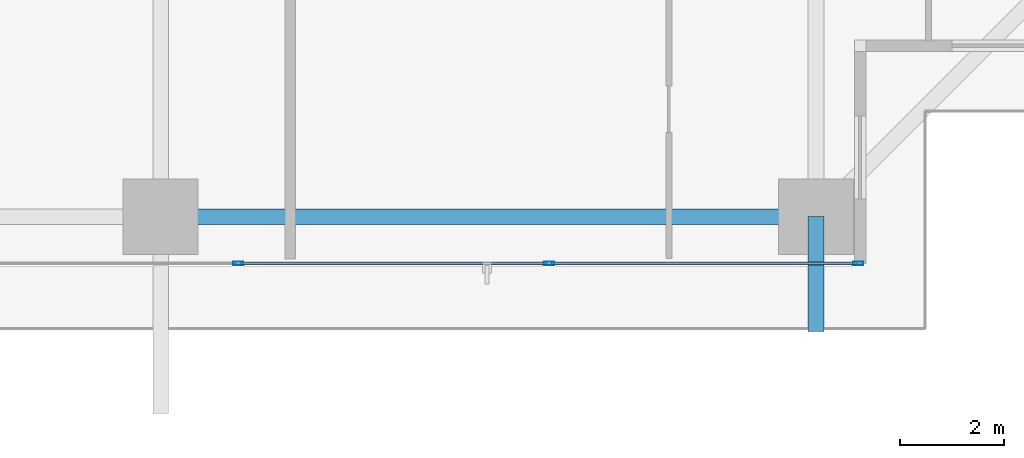
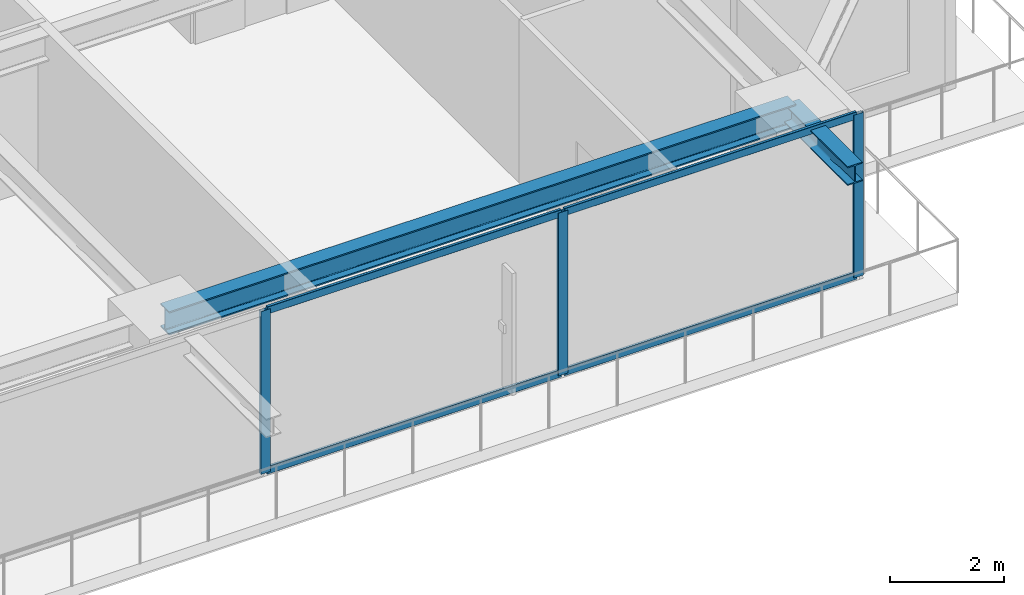
# One storey, part 10 of 36: 7 members, 2 beams, 1 element without a shape of its own.
"""IFC4 building model written with IfcOpenShell, lengths in metres."""

import ifcopenshell
import ifcopenshell.guid

model = None  # the IFC model being written
_history = None  # IfcOwnerHistory: only IFC2X3 demands one
_inside = {}  # id of a spatial element -> (the spatial element, [elements in it])
_under = {}  # id of a project, library or spatial element -> (it, [spatial elements below it])
_declared = {}  # id of a project -> (the project, [libraries it declares])
_typed = {}  # id of a type object -> (the type object, [elements of that type])
_made_of = {}  # id of a material, layer set ... -> (it, [elements and type objects made of it])


def new_model(schema):
    """Start an empty IFC model of exactly this schema.

    Asked for "IFC4X3", IfcOpenShell would pick the latest addendum, in which some entities
    have other attributes; the version numbers below select the first issue.
    IFC2X3 requires an IfcOwnerHistory on every rooted entity: one is made here for all.
    """
    global model, _history
    if schema == "IFC4X3":
        model = ifcopenshell.file(schema_version=(4, 3, 0, 0))
    else:
        model = ifcopenshell.file(schema=schema)
    _inside.clear()
    _under.clear()
    _declared.clear()
    _typed.clear()
    _made_of.clear()
    _history = None
    if model.schema == "IFC2X3":
        org = make("IfcOrganization", Name="unknown")
        user = make(
            "IfcPersonAndOrganization",
            ThePerson=make("IfcPerson", FamilyName="unknown"),
            TheOrganization=org,
        )
        app = make(
            "IfcApplication",
            ApplicationDeveloper=org,
            Version="unknown",
            ApplicationFullName="unknown",
            ApplicationIdentifier="unknown",
        )
        _history = make(
            "IfcOwnerHistory",
            OwningUser=user,
            OwningApplication=app,
            ChangeAction="ADDED",
            CreationDate=0,
        )
    return model


def make(cls, **values):
    """One entity of the class cls with the attributes given. An attribute that is None is left unset."""
    return model.create_entity(
        cls, **{name: value for name, value in values.items() if value is not None}
    )


def rooted(cls, **values):
    """An entity with a GlobalId (a new one), such as an element, a storey or a relation."""
    return make(cls, GlobalId=ifcopenshell.guid.new(), OwnerHistory=_history, **values)


def si_unit(unit_type, name, prefix=None):
    """IfcSIUnit, for example si_unit("LENGTHUNIT", "METRE", prefix="MILLI")."""
    return make("IfcSIUnit", UnitType=unit_type, Prefix=prefix, Name=name)


def assignment(units):
    """IfcUnitAssignment: the units of a project."""
    return None if units is None else make("IfcUnitAssignment", Units=units)


def point(xyz):
    """IfcCartesianPoint."""
    return None if xyz is None else make("IfcCartesianPoint", Coordinates=xyz)


def direction(xyz):
    """IfcDirection."""
    return None if xyz is None else make("IfcDirection", DirectionRatios=xyz)


def frame(location, z_axis=None, x_axis=None):
    """IfcAxis2Placement3D, a coordinate frame: its origin and axes. An axis left out is left unset."""
    return make(
        "IfcAxis2Placement3D",
        Location=point(location),
        Axis=direction(z_axis),
        RefDirection=direction(x_axis),
    )


def frame_2d(location, x_axis=None):
    """IfcAxis2Placement2D, a coordinate frame in the plane: its origin and x axis."""
    return make(
        "IfcAxis2Placement2D", Location=point(location), RefDirection=direction(x_axis)
    )


def origin():
    """The frame at (0, 0, 0) with its axes left unset."""
    return frame((0.0, 0.0, 0.0))


def origin_2d():
    """The frame at (0, 0) in the plane with its x axis left unset."""
    return frame_2d((0.0, 0.0))


def place(relative_to, where):
    """IfcLocalPlacement: puts the frame where relative to a parent placement (None: the world)."""
    return make(
        "IfcLocalPlacement", PlacementRelTo=relative_to, RelativePlacement=where
    )


def context(
    kind, dimensions, precision=None, world=None, true_north=None, identifier=None
):
    """IfcGeometricRepresentationContext, for example the 3D "Model" context."""
    return make(
        "IfcGeometricRepresentationContext",
        ContextIdentifier=identifier,
        ContextType=kind,
        CoordinateSpaceDimension=dimensions,
        Precision=precision,
        WorldCoordinateSystem=world,
        TrueNorth=true_north,
    )


def subcontext(parent, identifier, kind, view, scale=None):
    """IfcGeometricRepresentationSubContext, for example "Body" below "Model"."""
    return make(
        "IfcGeometricRepresentationSubContext",
        ContextIdentifier=identifier,
        ContextType=kind,
        ParentContext=parent,
        TargetScale=scale,
        TargetView=view,
    )


def project(units=None, contexts=None):
    """IfcProject with its units and contexts."""
    return rooted(
        "IfcProject",
        Name="project",
        RepresentationContexts=contexts,
        UnitsInContext=assignment(units),
    )


def spatial(cls, under=None, at=None, **own):
    """A site, building, storey or space (cls), placed at a placement, below another one or the project."""
    s = rooted(cls, ObjectPlacement=at, **own)
    if under is not None:
        _under.setdefault(under.id(), (under, []))[1].append(s)
    return s


def profile(cls, at=None, kind="AREA", **sizes):
    """A parametric profile (cls). Its sizes go by their IFC names, for example OverallWidth=200.0."""
    return make(cls, ProfileType=kind, Position=at, **sizes)


def hollow_rectangle(**sizes):
    """IfcRectangleHollowProfileDef."""
    return profile("IfcRectangleHollowProfileDef", **sizes)


def i_section(**sizes):
    """IfcIShapeProfileDef."""
    return profile("IfcIShapeProfileDef", **sizes)


def extrude(swept, where, along, depth):
    """IfcExtrudedAreaSolid: the profile swept, set in the frame where, extruded along a direction by depth."""
    return make(
        "IfcExtrudedAreaSolid",
        SweptArea=swept,
        Position=where,
        ExtrudedDirection=direction(along),
        Depth=depth,
    )


def shape(context_of_items, identifier, shape_type, items):
    """IfcShapeRepresentation: the items that make up one representation, for example the "Body"."""
    return make(
        "IfcShapeRepresentation",
        ContextOfItems=context_of_items,
        RepresentationIdentifier=identifier,
        RepresentationType=shape_type,
        Items=items,
    )


def source(mapping_origin, context_of_items, identifier, shape_type, items):
    """IfcRepresentationMap: a shape defined once, which mapped items show again and again."""
    return make(
        "IfcRepresentationMap",
        MappingOrigin=mapping_origin,
        MappedRepresentation=shape(context_of_items, identifier, shape_type, items),
    )


def transform(
    local_origin,
    x_axis=None,
    y_axis=None,
    z_axis=None,
    scale=None,
    scale2=None,
    scale3=None,
    uniform=True,
):
    """IfcCartesianTransformationOperator3D, or its non-uniform kind. x_axis, y_axis, z_axis: its Axis1, 2, 3."""
    if uniform:
        return make(
            "IfcCartesianTransformationOperator3D",
            Axis1=direction(x_axis),
            Axis2=direction(y_axis),
            LocalOrigin=point(local_origin),
            Scale=scale,
            Axis3=direction(z_axis),
        )
    return make(
        "IfcCartesianTransformationOperator3DnonUniform",
        Axis1=direction(x_axis),
        Axis2=direction(y_axis),
        LocalOrigin=point(local_origin),
        Scale=scale,
        Axis3=direction(z_axis),
        Scale2=scale2,
        Scale3=scale3,
    )


def mapped(mapping_source, mapping_target):
    """IfcMappedItem: shows the shape of a source again, moved by a transform."""
    return make(
        "IfcMappedItem", MappingSource=mapping_source, MappingTarget=mapping_target
    )


def material(Name=None, Category=None):
    """IfcMaterial."""
    return make("IfcMaterial", Name=Name, Category=Category)


def layer(
    of_material, thickness, ventilated=None, Name=None, Category=None, Priority=None
):
    """IfcMaterialLayer: one layer of a wall or slab, of a material (None: an air gap)."""
    return make(
        "IfcMaterialLayer",
        Material=of_material,
        LayerThickness=thickness,
        IsVentilated=ventilated,
        Name=Name,
        Category=Category,
        Priority=Priority,
    )


def layer_set(layers, Name=None):
    """IfcMaterialLayerSet."""
    return make("IfcMaterialLayerSet", MaterialLayers=layers, LayerSetName=Name)


def material_profile(
    of_material, cross_section, Name=None, Category=None, Priority=None
):
    """IfcMaterialProfile: a cross section and its material."""
    return make(
        "IfcMaterialProfile",
        Name=Name,
        Material=of_material,
        Profile=cross_section,
        Priority=Priority,
        Category=Category,
    )


def profile_set(profiles, Name=None, composite=None):
    """IfcMaterialProfileSet."""
    return make(
        "IfcMaterialProfileSet",
        Name=Name,
        MaterialProfiles=profiles,
        CompositeProfile=composite,
    )


def made_of(thing, what):
    """Note that an element or type object is made of a material, layer set ...; save() writes the relation."""
    if what is not None:
        _made_of.setdefault(what.id(), (what, []))[1].append(thing)
    return thing


def type_object(cls, material=None, **own):
    """A type object (cls), such as IfcWallType, which elements share."""
    return made_of(rooted(cls, **own), material)


def element(
    cls,
    number,
    at=None,
    inside=None,
    cuts=None,
    type_object=None,
    material=None,
    context=None,
    identifier="Body",
    shape_type=None,
    held_by="IfcProductDefinitionShape",
    body=None,
    shapes=None,
    **own,
):
    """One element of the class cls, such as IfcWall. Its Tag is "e" and its number.

    at: its placement. inside: the storey or other place that contains it. cuts: it is an
    opening in that element (IfcRelVoidsElement). A single representation is given by context,
    identifier, shape_type and body (its items); several are given by shapes. held_by: the class
    of the entity that holds the representations. save() writes the other relations.
    """
    e = rooted(cls, Tag="e%d" % number, ObjectPlacement=at, **own)
    if body is not None:
        shapes = [shape(context, identifier, shape_type, body)]
    if shapes is not None:
        e.Representation = make(held_by, Representations=shapes)
    if inside is not None:
        _inside.setdefault(inside.id(), (inside, []))[1].append(e)
    if cuts is not None:
        rooted(
            "IfcRelVoidsElement", RelatingBuildingElement=cuts, RelatedOpeningElement=e
        )
    if type_object is not None:
        _typed.setdefault(type_object.id(), (type_object, []))[1].append(e)
    return made_of(e, material)


def aggregate(whole, parts):
    """IfcRelAggregates: a whole, such as a stair, and the parts it consists of."""
    return rooted("IfcRelAggregates", RelatingObject=whole, RelatedObjects=parts)


def save(model, path):
    """Write the relations noted so far, then the file.

    IfcRelAggregates (storeys below a building ...), IfcRelContainedInSpatialStructure (elements
    in a storey), IfcRelDefinesByType, IfcRelAssociatesMaterial and IfcRelDeclares: one each for
    every whole, place, type object, material and project.
    """
    for whole, parts in _under.values():
        aggregate(whole, parts)
    for where, things in _inside.values():
        rooted(
            "IfcRelContainedInSpatialStructure",
            RelatedElements=things,
            RelatingStructure=where,
        )
    for kind, things in _typed.values():
        rooted("IfcRelDefinesByType", RelatedObjects=things, RelatingType=kind)
    for what, things in _made_of.values():
        rooted("IfcRelAssociatesMaterial", RelatedObjects=things, RelatingMaterial=what)
    for by, libraries in _declared.values():
        rooted("IfcRelDeclares", RelatingContext=by, RelatedDefinitions=libraries)
    model.write(path)


model = new_model("IFC4")

# Units and contexts
model_context = context("Model", 3, precision=1e-05, world=origin(), true_north=direction((0.0, 1.0)))
body_context = subcontext(model_context, "Body", "Model", "MODEL_VIEW")
ifc_project = project(units=[si_unit("LENGTHUNIT", "METRE"), si_unit("AREAUNIT", "SQUARE_METRE"), si_unit("VOLUMEUNIT", "CUBIC_METRE"), si_unit("PLANEANGLEUNIT", "RADIAN"), si_unit("MASSUNIT", "GRAM", prefix="KILO")], contexts=[model_context])

# Site, building, storey
site_placement = place(None, origin())
site = spatial("IfcSite", under=ifc_project, at=site_placement, CompositionType="ELEMENT")
building_placement = place(site_placement, origin())
building = spatial("IfcBuilding", under=site, at=building_placement, Name="Serunith Strait Residences", CompositionType="ELEMENT")
storey_placement = place(building_placement, frame((0.0, 0.0, 86.699951171875)))
storey = spatial("IfcBuildingStorey", under=building, at=storey_placement, Name="L21", CompositionType="ELEMENT", Elevation=86.699951171875)

# Beams
ifc_material_1 = material(Name="Steel S355J2", Category="steel")
ifc_material_profile_1 = material_profile(ifc_material_1, i_section(OverallWidth=0.300048828125, OverallDepth=0.5, WebThickness=0.014404296875, FlangeThickness=0.028076171875, FilletRadius=0.027099609375, at=origin_2d()), Name="HEB 500")
ifc_profile_set_1 = profile_set([ifc_material_profile_1], Name="Steel S355J2")
beam_type_1 = type_object("IfcBeamType", Name="BM-HEB500", PredefinedType="BEAM", material=ifc_profile_set_1)
shared_shape_1 = source(origin(), body_context, "Body", "SweptSolid", [
    extrude(i_section(OverallWidth=0.300048828125, OverallDepth=0.5, WebThickness=0.014404296875, FlangeThickness=0.028076171875, FilletRadius=0.027099609375, at=origin_2d()), origin(), (0.0, 0.0, 1.0), 12.650146484375),
])
beam_1_placement = place(storey_placement, frame((36.89990234375, 1.10009765625, 3.237060546875), z_axis=(1.0, 0.0, 0.0), x_axis=(0.0, 1.0, 0.0)))
element("IfcBeam", 1, at=beam_1_placement, inside=storey, type_object=beam_type_1, Name="L21 Perimeter Ring Beam 03", PredefinedType="BEAM", context=body_context, shape_type="MappedRepresentation", body=[
    mapped(shared_shape_1, transform((0.0, 0.0, 0.0), scale=1.0)),
])
ifc_material_profile_2 = material_profile(ifc_material_1, i_section(OverallWidth=0.300048828125, OverallDepth=0.39990234375, WebThickness=0.013427734375, FlangeThickness=0.02392578125, FilletRadius=0.027099609375, at=origin_2d()), Name="HEB 400")
ifc_profile_set_2 = profile_set([ifc_material_profile_2], Name="Steel S355J2")
beam_type_2 = type_object("IfcBeamType", Name="BM-HEB400", PredefinedType="BEAM", material=ifc_profile_set_2)
shared_shape_2 = source(origin(), body_context, "Body", "SweptSolid", [
    extrude(i_section(OverallWidth=0.300048828125, OverallDepth=0.39990234375, WebThickness=0.013427734375, FlangeThickness=0.02392578125, FilletRadius=0.027099609375, at=origin_2d()), origin(), (0.0, 0.0, 1.0), 2.219482421875),
])
beam_2_placement = place(storey_placement, frame((49.550048828125, 1.10009765625, 3.257080078125), z_axis=(0.0, -1.0, 0.0), x_axis=(1.0, 0.0, 0.0)))
element("IfcBeam", 2, at=beam_2_placement, inside=storey, type_object=beam_type_2, Name="L22 Cantilevered Balcony Rib TC-S4", PredefinedType="BEAM", context=body_context, shape_type="MappedRepresentation", body=[
    mapped(shared_shape_2, transform((0.0, 0.0, 0.0), scale=1.0)),
])

# Curtain wall, members
ifc_material_2 = material(Name="Pale-Champagne Anodised Aluminium", Category="aluminium")
ifc_layer = layer(ifc_material_2, 0.199951171875, Name="Pale-Champagne Anodised Aluminium")
ifc_layer_set = layer_set([ifc_layer], Name="Pale-Champagne Anodised Aluminium")
curtain_wall_type = type_object("IfcCurtainWallType", Name="CW-SYS1", PredefinedType="NOTDEFINED", material=ifc_layer_set)
curtain_wall_placement = place(storey_placement, origin())
curtain_wall = element("IfcCurtainWall", 3, at=curtain_wall_placement, inside=storey, type_object=curtain_wall_type, Name="L21 S Unitised Fritted Curtain Wall", PredefinedType="NOTDEFINED")
ifc_material_profile_3 = material_profile(ifc_material_2, hollow_rectangle(XDim=0.070068359375, YDim=0.199951171875, WallThickness=0.00390625, InnerFilletRadius=0.006103515625, OuterFilletRadius=0.010009765625, at=origin_2d()), Name="ALU 200x70x4")
ifc_profile_set_3 = profile_set([ifc_material_profile_3], Name="Pale-Champagne Anodised Aluminium")
member_type_1 = type_object("IfcMemberType", Name="CW-SYS1-MULL", PredefinedType="MULLION", material=ifc_profile_set_3)
shared_shape_3 = source(origin(), body_context, "Body", "SweptSolid", [
    extrude(hollow_rectangle(XDim=0.070068359375, YDim=0.199951171875, WallThickness=0.00390625, InnerFilletRadius=0.006103515625, OuterFilletRadius=0.010009765625, at=origin_2d()), origin(), (0.0, 0.0, 1.0), 3.47509765625),
])
member_1_placement = place(storey_placement, frame((38.39990234375, 0.199951171875, 0.0), z_axis=(0.0, 0.0, 1.0), x_axis=(0.0, 1.0, 0.0)))
member_1 = element("IfcMember", 4, at=member_1_placement, type_object=member_type_1, Name="CW-1 mullion 5", PredefinedType="MULLION", context=body_context, shape_type="MappedRepresentation", body=[
    mapped(shared_shape_3, transform((0.0, 0.0, 0.0), scale=1.0)),
])
member_2_placement = place(storey_placement, frame((44.39990234375, 0.199951171875, 0.0), z_axis=(0.0, 0.0, 1.0), x_axis=(0.0, 1.0, 0.0)))
member_2 = element("IfcMember", 5, at=member_2_placement, type_object=member_type_1, Name="CW-1 mullion 6", PredefinedType="MULLION", context=body_context, shape_type="MappedRepresentation", body=[
    mapped(shared_shape_3, transform((0.0, 0.0, 0.0), scale=1.0)),
])
member_3_placement = place(storey_placement, frame((50.364990234375, 0.199951171875, 0.0), z_axis=(0.0, 0.0, 1.0), x_axis=(0.0, 1.0, 0.0)))
member_3 = element("IfcMember", 6, at=member_3_placement, type_object=member_type_1, Name="CW-1 mullion 7", PredefinedType="MULLION", context=body_context, shape_type="MappedRepresentation", body=[
    mapped(shared_shape_3, transform((0.0, 0.0, 0.0), scale=1.0)),
])
ifc_material_profile_4 = material_profile(ifc_material_2, hollow_rectangle(XDim=0.06005859375, YDim=0.159912109375, WallThickness=0.00341796875, InnerFilletRadius=0.00537109375, OuterFilletRadius=0.0087890625, at=origin_2d()), Name="ALU 160x60x3.5")
ifc_profile_set_4 = profile_set([ifc_material_profile_4], Name="Pale-Champagne Anodised Aluminium")
member_type_2 = type_object("IfcMemberType", Name="CW-SYS1-TRAN", PredefinedType="USERDEFINED", material=ifc_profile_set_4)
shared_shape_4 = source(origin(), body_context, "Body", "SweptSolid", [
    extrude(hollow_rectangle(XDim=0.06005859375, YDim=0.159912109375, WallThickness=0.00341796875, InnerFilletRadius=0.00537109375, OuterFilletRadius=0.0087890625, at=origin_2d()), origin(), (0.0, 0.0, 1.0), 5.89501953125),
])
member_4_placement = place(storey_placement, frame((44.43505859375, 0.199951171875, 0.030029296875), z_axis=(1.0, 0.0, 0.0), x_axis=(0.0, 1.0, 0.0)))
member_4 = element("IfcMember", 7, at=member_4_placement, type_object=member_type_2, Name="CW-1 transom 6.1", ObjectType="TRANSOM", PredefinedType="USERDEFINED", context=body_context, shape_type="MappedRepresentation", body=[
    mapped(shared_shape_4, transform((0.0, 0.0, 0.0), scale=1.0)),
])
member_5_placement = place(storey_placement, frame((44.43505859375, 0.199951171875, 3.445068359375), z_axis=(1.0, 0.0, 0.0), x_axis=(0.0, 1.0, 0.0)))
member_5 = element("IfcMember", 8, at=member_5_placement, type_object=member_type_2, Name="CW-1 transom 6.2", ObjectType="TRANSOM", PredefinedType="USERDEFINED", context=body_context, shape_type="MappedRepresentation", body=[
    mapped(shared_shape_4, transform((0.0, 0.0, 0.0), scale=1.0)),
])
shared_shape_5 = source(origin(), body_context, "Body", "SweptSolid", [
    extrude(hollow_rectangle(XDim=0.06005859375, YDim=0.159912109375, WallThickness=0.00341796875, InnerFilletRadius=0.00537109375, OuterFilletRadius=0.0087890625, at=origin_2d()), origin(), (0.0, 0.0, 1.0), 5.929931640625),
])
member_6_placement = place(storey_placement, frame((38.43505859375, 0.199951171875, 0.030029296875), z_axis=(1.0, 0.0, 0.0), x_axis=(0.0, 1.0, 0.0)))
member_6 = element("IfcMember", 9, at=member_6_placement, type_object=member_type_2, Name="CW-1 transom 5.1", ObjectType="TRANSOM", PredefinedType="USERDEFINED", context=body_context, shape_type="MappedRepresentation", body=[
    mapped(shared_shape_5, transform((0.0, 0.0, 0.0), scale=1.0)),
])
member_7_placement = place(storey_placement, frame((38.43505859375, 0.199951171875, 3.445068359375), z_axis=(1.0, 0.0, 0.0), x_axis=(0.0, 1.0, 0.0)))
member_7 = element("IfcMember", 10, at=member_7_placement, type_object=member_type_2, Name="CW-1 transom 5.2", ObjectType="TRANSOM", PredefinedType="USERDEFINED", context=body_context, shape_type="MappedRepresentation", body=[
    mapped(shared_shape_5, transform((0.0, 0.0, 0.0), scale=1.0)),
])
aggregate(curtain_wall, [member_1, member_2, member_3, member_6, member_7, member_4, member_5])

save(model, "model.ifc")
